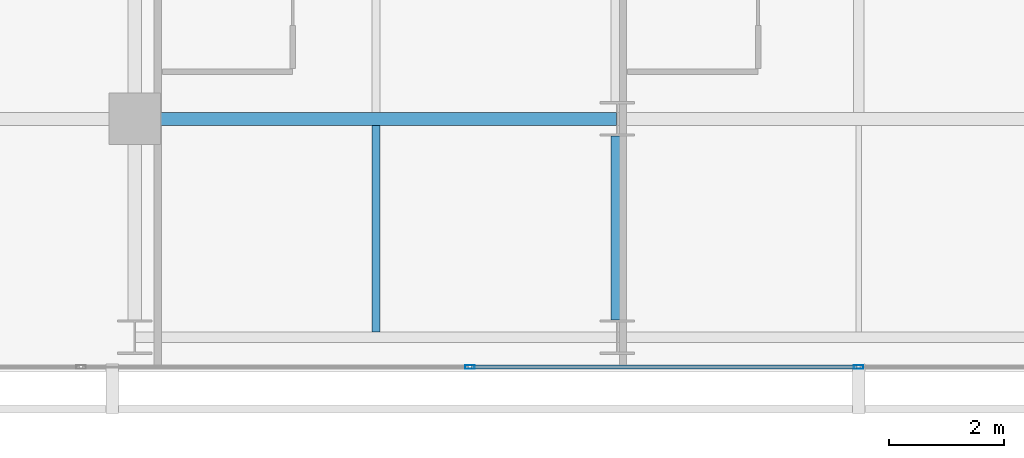
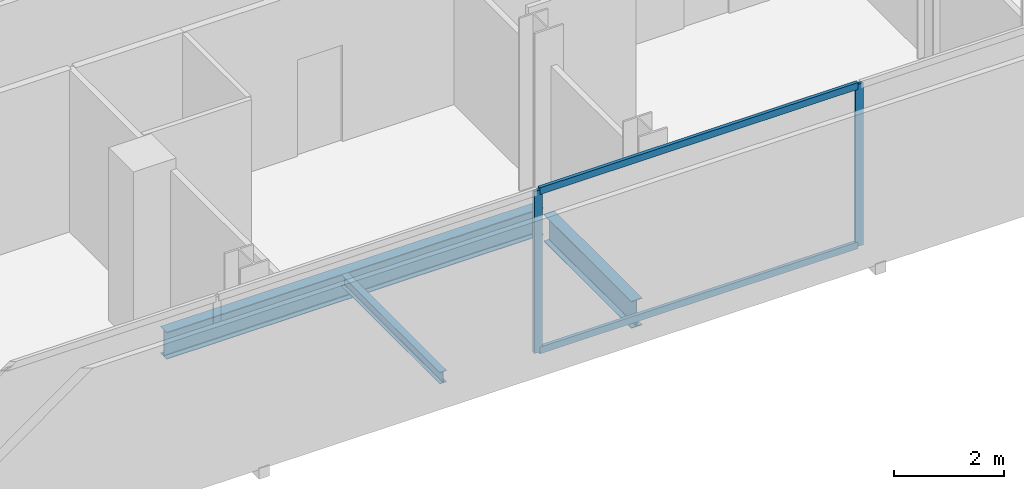
# One storey, part 6 of 34: 4 members, 3 beams, 1 element without a shape of its own.
"""IFC4 building model written with IfcOpenShell, lengths in metres."""

from ifc_helpers import new_model, si_unit, direction, frame, origin, origin_2d, place, context, subcontext, project, spatial, hollow_rectangle, i_section, extrude, material, layer, layer_set, material_profile, profile_set, type_object, element, aggregate, save


model = new_model("IFC4")

# Units and contexts
model_context = context("Model", 3, precision=1e-05, world=origin(), true_north=direction((0.0, 1.0)))
body_context = subcontext(model_context, "Body", "Model", "MODEL_VIEW")
ifc_project = project(units=[si_unit("LENGTHUNIT", "METRE"), si_unit("AREAUNIT", "SQUARE_METRE"), si_unit("VOLUMEUNIT", "CUBIC_METRE"), si_unit("PLANEANGLEUNIT", "RADIAN"), si_unit("MASSUNIT", "GRAM", prefix="KILO")], contexts=[model_context])

# Site, building, storey
site_placement = place(None, origin())
site = spatial("IfcSite", under=ifc_project, at=site_placement, CompositionType="ELEMENT")
building_placement = place(site_placement, origin())
building = spatial("IfcBuilding", under=site, at=building_placement, Name="Maruvema Waterfront Hotel and Observation Tower", CompositionType="ELEMENT")
storey_placement = place(building_placement, frame((0.0, 0.0, 173.60009765625)))
storey = spatial("IfcBuildingStorey", under=building, at=storey_placement, Name="L42", CompositionType="ELEMENT", Elevation=173.60009765625)

# Curtain wall, members
ifc_material_1 = material(Name="Anodised bronze aluminium and solar-control low-E IGU", Category="aluminium")
ifc_layer = layer(ifc_material_1, 0.159912109375, Name="Zone 2 Amber Inner Thermal Curtain Wall System CW-03")
ifc_layer_set = layer_set([ifc_layer], Name="Anodised bronze aluminium and solar-control low-E IGU")
curtain_wall_type = type_object("IfcCurtainWallType", Name="Zone 2 Amber Inner Thermal Curtain Wall System CW-03", PredefinedType="USERDEFINED", material=ifc_layer_set)
curtain_wall_placement = place(storey_placement, origin())
curtain_wall = element("IfcCurtainWall", 1, at=curtain_wall_placement, inside=storey, type_object=curtain_wall_type, Name="L42 Curtain Wall CW-L42-S", ObjectType="UNITISED CURTAIN WALL", PredefinedType="USERDEFINED")
ifc_material_2 = material(Name="Anodised architectural bronze aluminium", Category="aluminium")
ifc_material_profile_1 = material_profile(ifc_material_2, hollow_rectangle(XDim=0.070068359375, YDim=0.14990234375, WallThickness=0.00390625, at=origin_2d()), Name="ALU-T70x150")
ifc_profile_set_1 = profile_set([ifc_material_profile_1], Name="Anodised architectural bronze aluminium")
member_type_1 = type_object("IfcMemberType", Name="Curtain Wall Horizontal Transom ALU-T70x150", PredefinedType="USERDEFINED", material=ifc_profile_set_1)
member_1_placement = place(storey_placement, frame((31.063232421875, 4.679931640625, 0.02978515625), z_axis=(1.0, 0.0, 0.0), x_axis=(0.0, 1.0, 0.0)))
member_1 = element("IfcMember", 2, at=member_1_placement, type_object=member_type_1, Name="CW-03 transom 3.1", ObjectType="TRANSOM", PredefinedType="USERDEFINED", context=body_context, shape_type="SweptSolid", body=[
    extrude(hollow_rectangle(XDim=0.070068359375, YDim=0.14990234375, WallThickness=0.00390625, at=origin_2d()), origin(), (0.0, 0.0, 1.0), 6.706787109375),
])
member_2_placement = place(storey_placement, frame((31.063232421875, 4.679931640625, 3.579833984375), z_axis=(1.0, 0.0, 0.0), x_axis=(0.0, 1.0, 0.0)))
member_2 = element("IfcMember", 3, at=member_2_placement, type_object=member_type_1, Name="CW-03 transom 3.2", ObjectType="TRANSOM", PredefinedType="USERDEFINED", context=body_context, shape_type="SweptSolid", body=[
    extrude(hollow_rectangle(XDim=0.070068359375, YDim=0.14990234375, WallThickness=0.00390625, at=origin_2d()), origin(), (0.0, 0.0, 1.0), 6.706787109375),
])
ifc_material_3 = material(Name="Anodised architectural bronze aluminium", Category="aluminium")
ifc_material_profile_2 = material_profile(ifc_material_3, hollow_rectangle(XDim=0.06494140625, YDim=0.1650390625, WallThickness=0.00390625, at=origin_2d()), Name="ALU-M65x165")
ifc_profile_set_2 = profile_set([ifc_material_profile_2], Name="Anodised architectural bronze aluminium")
member_type_2 = type_object("IfcMemberType", Name="Curtain Wall Primary Mullion ALU-M65x165", PredefinedType="MULLION", material=ifc_profile_set_2)
member_3_placement = place(storey_placement, frame((31.033447265625, 4.679931640625, 0.0), z_axis=(0.0, 0.0, 1.0), x_axis=(0.0, 1.0, 0.0)))
member_3 = element("IfcMember", 4, at=member_3_placement, type_object=member_type_2, Name="CW-03 mullion 3", PredefinedType="MULLION", context=body_context, shape_type="SweptSolid", body=[
    extrude(hollow_rectangle(XDim=0.06494140625, YDim=0.1650390625, WallThickness=0.00390625, at=origin_2d()), origin(), (0.0, 0.0, 1.0), 3.60986328125),
])
member_4_placement = place(storey_placement, frame((37.800048828125, 4.679931640625, 0.0), z_axis=(0.0, 0.0, 1.0), x_axis=(0.0, 1.0, 0.0)))
member_4 = element("IfcMember", 5, at=member_4_placement, type_object=member_type_2, Name="CW-03 mullion 4", PredefinedType="MULLION", context=body_context, shape_type="SweptSolid", body=[
    extrude(hollow_rectangle(XDim=0.06494140625, YDim=0.1650390625, WallThickness=0.00390625, at=origin_2d()), origin(), (0.0, 0.0, 1.0), 3.60986328125),
])
aggregate(curtain_wall, [member_3, member_4, member_1, member_2])

# Beams
ifc_material_4 = material(Name="Steel ASTM A572 Grade 50", Category="steel")
ifc_material_profile_3 = material_profile(ifc_material_4, i_section(OverallWidth=0.22802734375, OverallDepth=0.60302734375, WebThickness=0.010498046875, FlangeThickness=0.014892578125, FilletRadius=0.01806640625, at=origin_2d()), Name="W610x101.0")
ifc_profile_set_3 = profile_set([ifc_material_profile_3], Name="Steel ASTM A572 Grade 50")
beam_type_1 = type_object("IfcBeamType", Name="Primary Floor Girder W610x101.0", PredefinedType="BEAM", material=ifc_profile_set_3)
beam_1_placement = place(storey_placement, frame((25.64990234375, 9.0, -0.54150390625), z_axis=(1.0, 0.0, 0.0), x_axis=(0.0, 1.0, 0.0)))
element("IfcBeam", 6, at=beam_1_placement, inside=storey, type_object=beam_type_1, Name="L42 Floor Girder EW-06", PredefinedType="BEAM", context=body_context, shape_type="SweptSolid", body=[
    extrude(i_section(OverallWidth=0.22802734375, OverallDepth=0.60302734375, WebThickness=0.010498046875, FlangeThickness=0.014892578125, FilletRadius=0.01806640625, at=origin_2d()), origin(), (0.0, 0.0, 1.0), 7.9375),
])
beam_2_placement = place(storey_placement, frame((33.60009765625, 5.5, -0.54150390625), z_axis=(0.0, 1.0, 0.0), x_axis=(-1.0, 0.0, 0.0)))
element("IfcBeam", 7, at=beam_2_placement, inside=storey, type_object=beam_type_1, Name="L42 Floor Girder NS-14", PredefinedType="BEAM", context=body_context, shape_type="SweptSolid", body=[
    extrude(i_section(OverallWidth=0.22802734375, OverallDepth=0.60302734375, WebThickness=0.010498046875, FlangeThickness=0.014892578125, FilletRadius=0.01806640625, at=origin_2d()), origin(), (0.0, 0.0, 1.0), 3.199951171875),
])
ifc_material_5 = material(Name="Steel ASTM A572 Grade 50", Category="steel")
ifc_material_profile_4 = material_profile(ifc_material_5, i_section(OverallWidth=0.14599609375, OverallDepth=0.258056640625, WebThickness=0.006103515625, FlangeThickness=0.009033203125, FilletRadius=0.012939453125, at=origin_2d()), Name="W250x32.7")
ifc_profile_set_4 = profile_set([ifc_material_profile_4], Name="Steel ASTM A572 Grade 50")
beam_type_2 = type_object("IfcBeamType", Name="Secondary Floor Joist W250x32.7", PredefinedType="JOIST", material=ifc_profile_set_4)
beam_3_placement = place(storey_placement, frame((29.39990234375, 5.29052734375, -0.369140625), z_axis=(0.0, 1.0, 0.0), x_axis=(-1.0, 0.0, 0.0)))
element("IfcBeam", 8, at=beam_3_placement, inside=storey, type_object=beam_type_2, Name="L42 Secondary Floor Joist JS-05", PredefinedType="JOIST", context=body_context, shape_type="SweptSolid", body=[
    extrude(i_section(OverallWidth=0.14599609375, OverallDepth=0.258056640625, WebThickness=0.006103515625, FlangeThickness=0.009033203125, FilletRadius=0.012939453125, at=origin_2d()), origin(), (0.0, 0.0, 1.0), 3.595458984375),
])

save(model, "model.ifc")
